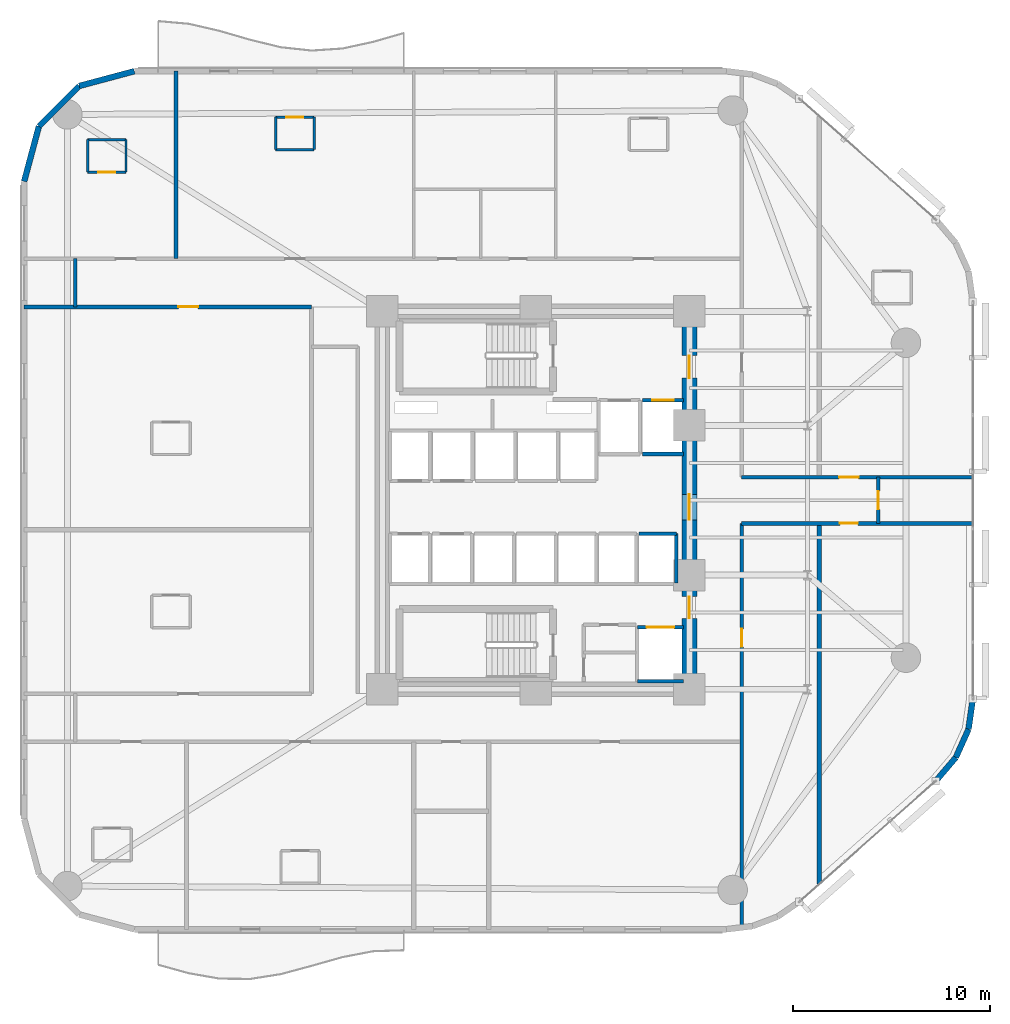
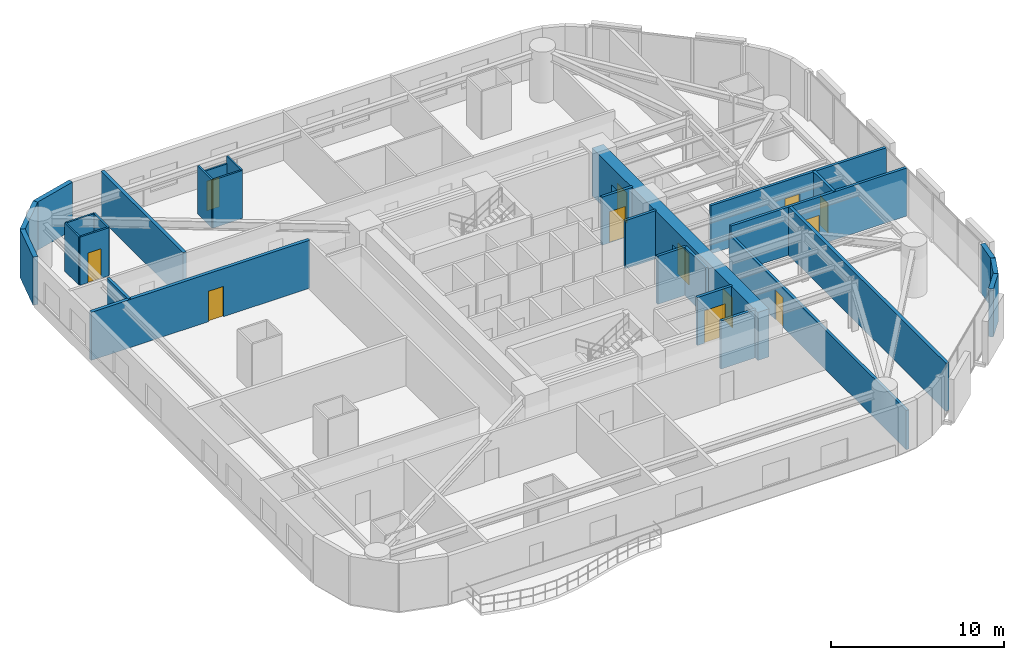
# One storey, part 12 of 17: 29 walls, 12 doors, 12 openings.
"""IFC4 building model written with IfcOpenShell, lengths in metres."""

from ifc_helpers import new_model, si_unit, direction, frame, frame_2d, origin, place, context, subcontext, project, spatial, rectangle, extrude, material, layer, layer_set, type_object, element, fill, save


model = new_model("IFC4")

# Units and contexts
model_context = context("Model", 3, precision=1e-05, world=origin(), true_north=direction((0.0, 1.0)))
body_context = subcontext(model_context, "Body", "Model", "MODEL_VIEW")
ifc_project = project(units=[si_unit("LENGTHUNIT", "METRE"), si_unit("AREAUNIT", "SQUARE_METRE"), si_unit("VOLUMEUNIT", "CUBIC_METRE"), si_unit("PLANEANGLEUNIT", "RADIAN"), si_unit("MASSUNIT", "GRAM", prefix="KILO")], contexts=[model_context])

# Site, building, storey
site_placement = place(None, origin())
site = spatial("IfcSite", under=ifc_project, at=site_placement, CompositionType="ELEMENT")
building_placement = place(site_placement, origin())
building = spatial("IfcBuilding", under=site, at=building_placement, Name="An Khanh Terracotta Commons", CompositionType="ELEMENT")
storey_placement = place(building_placement, frame((0.0, 0.0, 32.39990234375)))
storey = spatial("IfcBuildingStorey", under=building, at=storey_placement, Name="L08", CompositionType="ELEMENT", Elevation=32.39990234375)

# Wall, openings, doors
ifc_material_1 = material(Name="Concrete C70/85", Category="concrete")
ifc_layer_1 = layer(ifc_material_1, 0.75, Name="Concrete C70/85")
ifc_layer_set_1 = layer_set([ifc_layer_1], Name="Concrete C70/85")
wall_type_1 = type_object("IfcWallType", Name="WALL-CORE-750", PredefinedType="SHEAR", material=ifc_layer_set_1)
wall_1_placement = place(storey_placement, frame((37.199951171875, 14.39990234375, 0.0), z_axis=(0.0, 0.0, 1.0), x_axis=(0.0, 1.0, 0.0)))
wall_1 = element("IfcWall", 1, at=wall_1_placement, inside=storey, type_object=wall_type_1, Name="L08 Core Wall CWALL-L08-E", PredefinedType="SHEAR", context=body_context, shape_type="SweptSolid", body=[
    extrude(rectangle(XDim=19.2001953125, YDim=0.75, at=frame_2d((9.60009765625, 0.0))), origin(), (0.0, 0.0, 1.0), 3.400146484375),
])
opening_1_placement = place(wall_1_placement, frame((15.800048828125, 0.0, 0.0)))
opening_1 = element("IfcOpeningElement", 2, at=opening_1_placement, cuts=wall_1, Name="Opening D-FFL", PredefinedType="OPENING", context=body_context, shape_type="SweptSolid", body=[
    extrude(rectangle(XDim=1.14990234375, YDim=2.14990234375, at=frame_2d((0.574951171875, 1.074951171875))), frame((0.0, 0.385009765625, 0.0), z_axis=(0.0, -1.0, 0.0), x_axis=(1.0, 0.0, 0.0)), (0.0, 0.0, 1.0), 0.77001953125),
])
opening_2_placement = place(wall_1_placement, frame((3.60009765625, 0.0, 0.0)))
opening_2 = element("IfcOpeningElement", 3, at=opening_2_placement, cuts=wall_1, Name="Opening D-ST", PredefinedType="OPENING", context=body_context, shape_type="SweptSolid", body=[
    extrude(rectangle(XDim=1.10009765625, YDim=2.14990234375, at=frame_2d((0.550048828125, 1.074951171875))), frame((0.0, 0.385009765625, 0.0), z_axis=(0.0, -1.0, 0.0), x_axis=(1.0, 0.0, 0.0)), (0.0, 0.0, 1.0), 0.77001953125),
])
opening_3_placement = place(wall_1_placement, frame((8.60009765625, 0.0, 0.0)))
opening_3 = element("IfcOpeningElement", 4, at=opening_3_placement, cuts=wall_1, Name="Opening D-COR", PredefinedType="OPENING", context=body_context, shape_type="SweptSolid", body=[
    extrude(rectangle(XDim=1.300048828125, YDim=2.199951171875, at=frame_2d((0.64990234375, 1.10009765625))), frame((0.0, 0.385009765625, 0.0), z_axis=(0.0, -1.0, 0.0), x_axis=(1.0, 0.0, 0.0)), (0.0, 0.0, 1.0), 0.77001953125),
])
ifc_material_2 = material(Name="Fire-Rated Glazed Steel Double Door", Category="steel")
door_type_1 = type_object("IfcDoorType", Name="DOOR-CORR-1300", OperationType="NOTDEFINED", PredefinedType="DOOR", material=ifc_material_2)
door_1_placement = place(opening_3_placement, origin())
door_1 = element("IfcDoor", 5, at=door_1_placement, inside=storey, type_object=door_type_1, Name="L08 Passenger Lift Lobby Double Door", OperationType="DOUBLE_DOOR_SINGLE_SWING", OverallHeight=2.199951171875, OverallWidth=1.300048828125, PredefinedType="DOOR", context=body_context, shape_type="SweptSolid", body=[
    extrude(rectangle(XDim=1.300048828125, YDim=2.199951171875, at=frame_2d((0.64990234375, 1.10009765625))), frame((0.0, 0.02490234375, 0.0), z_axis=(0.0, -1.0, 0.0), x_axis=(1.0, 0.0, 0.0)), (0.0, 0.0, 1.0), 0.050048828125),
])
fill(opening_3, door_1)
ifc_material_3 = material(Name="Fire-Rated Steel Leaf and Vision Panel", Category="steel")
door_type_2 = type_object("IfcDoorType", Name="DOOR-FFL-1150", OperationType="NOTDEFINED", PredefinedType="DOOR", material=ifc_material_3)
door_2_placement = place(opening_1_placement, origin())
door_2 = element("IfcDoor", 6, at=door_2_placement, inside=storey, type_object=door_type_2, Name="L08 Firefighting Lift Lobby Fire Door", OperationType="SINGLE_SWING_LEFT", OverallHeight=2.14990234375, OverallWidth=1.14990234375, PredefinedType="DOOR", context=body_context, shape_type="SweptSolid", body=[
    extrude(rectangle(XDim=1.14990234375, YDim=2.14990234375, at=frame_2d((0.574951171875, 1.074951171875))), frame((0.0, 0.02490234375, 0.0), z_axis=(0.0, -1.0, 0.0), x_axis=(1.0, 0.0, 0.0)), (0.0, 0.0, 1.0), 0.050048828125),
])
fill(opening_1, door_2)
ifc_material_4 = material(Name="Fire-Rated Steel Leaf and Frame", Category="steel")
door_type_3 = type_object("IfcDoorType", Name="DOOR-STAIR-1100", OperationType="NOTDEFINED", PredefinedType="DOOR", material=ifc_material_4)
door_3_placement = place(opening_2_placement, origin())
door_3 = element("IfcDoor", 7, at=door_3_placement, inside=storey, type_object=door_type_3, Name="L08 South Stair Lobby Fire Door", OperationType="SINGLE_SWING_RIGHT", OverallHeight=2.14990234375, OverallWidth=1.10009765625, PredefinedType="DOOR", context=body_context, shape_type="SweptSolid", body=[
    extrude(rectangle(XDim=1.10009765625, YDim=2.14990234375, at=frame_2d((0.550048828125, 1.074951171875))), frame((0.0, 0.02490234375, 0.0), z_axis=(0.0, -1.0, 0.0), x_axis=(1.0, 0.0, 0.0)), (0.0, 0.0, 1.0), 0.050048828125),
])
fill(opening_2, door_3)

# Wall, opening, door
ifc_material_5 = material(Name="Fire-Rated Gypsum Board on Steel Stud", Category="steel")
ifc_layer_2 = layer(ifc_material_5, 0.179931640625, Name="Fire-Rated Gypsum Board on Steel Stud")
ifc_layer_set_2 = layer_set([ifc_layer_2], Name="Fire-Rated Gypsum Board on Steel Stud")
wall_type_2 = type_object("IfcWallType", Name="WALL-CORR-180", PredefinedType="PARTITIONING", material=ifc_layer_set_2)
wall_2_placement = place(storey_placement, frame((34.820068359375, 29.080078125, 0.0), z_axis=(0.0, 0.0, 1.0), x_axis=(1.0, 0.0, 0.0)))
wall_2 = element("IfcWall", 8, at=wall_2_placement, inside=storey, type_object=wall_type_2, Name="L08 Core Wall LSH-L08-FFL-02-N", PredefinedType="PARTITIONING", context=body_context, shape_type="SweptSolid", body=[
    extrude(rectangle(XDim=2.079833984375, YDim=0.179931640625, at=frame_2d((1.0400390625, 0.0))), origin(), (0.0, 0.0, 1.0), 3.400146484375),
])
opening_4_placement = place(wall_2_placement, frame((0.489990234375, 0.0, 0.0)))
opening_4 = element("IfcOpeningElement", 9, at=opening_4_placement, cuts=wall_2, Name="Opening LD-FFL-02-L08", PredefinedType="OPENING", context=body_context, shape_type="SweptSolid", body=[
    extrude(rectangle(XDim=1.10009765625, YDim=2.199951171875, at=frame_2d((0.550048828125, 1.10009765625))), frame((0.0, 0.099853515625, 0.0), z_axis=(0.0, -1.0, 0.0), x_axis=(1.0, 0.0, 0.0)), (0.0, 0.0, 1.0), 0.199951171875),
])
ifc_material_6 = material(Name="Brushed Stainless Steel Fire Landing Door", Category="steel")
door_type_4 = type_object("IfcDoorType", Name="DOOR-LD-FFL-1100", OperationType="NOTDEFINED", PredefinedType="DOOR", material=ifc_material_6)
door_4_placement = place(opening_4_placement, origin())
door_4 = element("IfcDoor", 10, at=door_4_placement, inside=storey, type_object=door_type_4, Name="L08 Lift FFL-02 Sliding Landing Door", OperationType="DOUBLE_DOOR_SLIDING", OverallHeight=2.199951171875, OverallWidth=1.10009765625, PredefinedType="DOOR", context=body_context, shape_type="SweptSolid", body=[
    extrude(rectangle(XDim=1.10009765625, YDim=2.199951171875, at=frame_2d((0.550048828125, 1.10009765625))), frame((0.0, 0.02490234375, 0.0), z_axis=(0.0, -1.0, 0.0), x_axis=(1.0, 0.0, 0.0)), (0.0, 0.0, 1.0), 0.050048828125),
])
fill(opening_4, door_4)

# Wall
wall_3_placement = place(storey_placement, frame((36.89990234375, 26.35009765625, 0.0), z_axis=(0.0, 0.0, 1.0), x_axis=(-1.0, 0.0, 0.0)))
element("IfcWall", 11, at=wall_3_placement, inside=storey, type_object=wall_type_2, Name="L08 Core Wall LSH-L08-FFL-02-S", PredefinedType="PARTITIONING", context=body_context, shape_type="SweptSolid", body=[
    extrude(rectangle(XDim=2.079833984375, YDim=0.179931640625, at=frame_2d((1.0400390625, 0.0))), origin(), (0.0, 0.0, 1.0), 3.400146484375),
])

# Wall, opening, door
wall_4_placement = place(storey_placement, frame((34.550048828125, 17.550048828125, 0.0), z_axis=(0.0, 0.0, 1.0), x_axis=(1.0, 0.0, 0.0)))
wall_4 = element("IfcWall", 12, at=wall_4_placement, inside=storey, type_object=wall_type_2, Name="L08 Core Wall LSH-L08-SVL-01-N", PredefinedType="PARTITIONING", context=body_context, shape_type="SweptSolid", body=[
    extrude(rectangle(XDim=2.349853515625, YDim=0.179931640625, at=frame_2d((1.1748046875, 0.0))), origin(), (0.0, 0.0, 1.0), 3.400146484375),
])
opening_5_placement = place(wall_4_placement, frame((0.47509765625, 0.0, 0.0)))
opening_5 = element("IfcOpeningElement", 13, at=opening_5_placement, cuts=wall_4, Name="Opening LD-SVL-01-L08", PredefinedType="OPENING", context=body_context, shape_type="SweptSolid", body=[
    extrude(rectangle(XDim=1.39990234375, YDim=2.300048828125, at=frame_2d((0.699951171875, 1.14990234375))), frame((0.0, 0.099853515625, 0.0), z_axis=(0.0, -1.0, 0.0), x_axis=(1.0, 0.0, 0.0)), (0.0, 0.0, 1.0), 0.199951171875),
])
ifc_material_7 = material(Name="Heavy-Duty Stainless Steel Goods Landing Door", Category="steel")
door_type_5 = type_object("IfcDoorType", Name="DOOR-LD-SVL-1400", OperationType="NOTDEFINED", PredefinedType="DOOR", material=ifc_material_7)
door_5_placement = place(opening_5_placement, origin())
door_5 = element("IfcDoor", 14, at=door_5_placement, inside=storey, type_object=door_type_5, Name="L08 Lift SVL-01 Sliding Landing Door", OperationType="DOUBLE_DOOR_SLIDING", OverallHeight=2.300048828125, OverallWidth=1.39990234375, PredefinedType="DOOR", context=body_context, shape_type="SweptSolid", body=[
    extrude(rectangle(XDim=1.39990234375, YDim=2.300048828125, at=frame_2d((0.699951171875, 1.14990234375))), frame((0.0, 0.02490234375, 0.0), z_axis=(0.0, -1.0, 0.0), x_axis=(1.0, 0.0, 0.0)), (0.0, 0.0, 1.0), 0.050048828125),
])
fill(opening_5, door_5)

# Walls
wall_5_placement = place(storey_placement, frame((36.89990234375, 14.800048828125, 0.0), z_axis=(0.0, 0.0, 1.0), x_axis=(-1.0, 0.0, 0.0)))
element("IfcWall", 15, at=wall_5_placement, inside=storey, type_object=wall_type_2, Name="L08 Core Wall LSH-L08-SVL-01-S", PredefinedType="PARTITIONING", context=body_context, shape_type="SweptSolid", body=[
    extrude(rectangle(XDim=2.349853515625, YDim=0.179931640625, at=frame_2d((1.1748046875, 0.0))), origin(), (0.0, 0.0, 1.0), 3.400146484375),
])
wall_6_placement = place(storey_placement, frame((34.639892578125, 22.300048828125, 0.0), z_axis=(0.0, 0.0, 1.0), x_axis=(1.0, 0.0, 0.0)))
element("IfcWall", 16, at=wall_6_placement, inside=storey, type_object=wall_type_2, Name="L08 Core Wall LSH-L08-PL-H4-N", PredefinedType="PARTITIONING", context=body_context, shape_type="SweptSolid", body=[
    extrude(rectangle(XDim=1.900146484375, YDim=0.179931640625, at=frame_2d((0.9501953125, 0.0))), origin(), (0.0, 0.0, 1.0), 3.400146484375),
])
wall_7_placement = place(storey_placement, frame((36.5400390625, 19.800048828125, 0.0), z_axis=(0.0, 0.0, 1.0), x_axis=(0.0, 1.0, 0.0)))
element("IfcWall", 17, at=wall_7_placement, inside=storey, type_object=wall_type_2, Name="L08 Core Wall LSH-L08-PL-H4-E", PredefinedType="PARTITIONING", context=body_context, shape_type="SweptSolid", body=[
    extrude(rectangle(XDim=2.5, YDim=0.179931640625, at=frame_2d((1.25, 0.0))), origin(), (0.0, 0.0, 1.0), 3.400146484375),
])

# Wall, opening, door
wall_8_placement = place(storey_placement, frame((39.85009765625, 22.820068359375, 0.0), z_axis=(0.0, 0.0, 1.0), x_axis=(1.0, 0.0, 0.0)))
wall_8 = element("IfcWall", 18, at=wall_8_placement, inside=storey, type_object=wall_type_2, Name="L08 Interior Partition IW-L08-E005", PredefinedType="PARTITIONING", context=body_context, shape_type="SweptSolid", body=[
    extrude(rectangle(XDim=11.75, YDim=0.179931640625, at=frame_2d((5.875, 0.0))), origin(), (0.0, 0.0, 1.0), 3.400146484375),
])
opening_6_placement = place(wall_8_placement, frame((4.989990234375, 0.0, 0.0)))
opening_6 = element("IfcOpeningElement", 19, at=opening_6_placement, cuts=wall_8, Name="Opening D-RM", PredefinedType="OPENING", context=body_context, shape_type="SweptSolid", body=[
    extrude(rectangle(XDim=0.919921875, YDim=2.10009765625, at=frame_2d((0.4599609375, 1.050048828125))), frame((0.0, 0.099853515625, 0.0), z_axis=(0.0, -1.0, 0.0), x_axis=(1.0, 0.0, 0.0)), (0.0, 0.0, 1.0), 0.199951171875),
])
ifc_material_8 = material(Name="Engineered Hardwood Timber Leaf", Category="wood")
door_type_6 = type_object("IfcDoorType", Name="DOOR-INT-920", OperationType="NOTDEFINED", PredefinedType="DOOR", material=ifc_material_8)
door_6_placement = place(opening_6_placement, origin())
door_6 = element("IfcDoor", 20, at=door_6_placement, inside=storey, type_object=door_type_6, Name="L08 ENO2 Riverfront Reading Hall Door", OperationType="SINGLE_SWING_LEFT", OverallHeight=2.10009765625, OverallWidth=0.919921875, PredefinedType="DOOR", context=body_context, shape_type="SweptSolid", body=[
    extrude(rectangle(XDim=0.919921875, YDim=2.10009765625, at=frame_2d((0.4599609375, 1.050048828125))), frame((0.0, 0.02490234375, 0.0), z_axis=(0.0, -1.0, 0.0), x_axis=(1.0, 0.0, 0.0)), (0.0, 0.0, 1.0), 0.050048828125),
])
fill(opening_6, door_6)

wall_9_placement = place(storey_placement, frame((39.85009765625, 25.179931640625, 0.0), z_axis=(0.0, 0.0, 1.0), x_axis=(1.0, 0.0, 0.0)))
wall_9 = element("IfcWall", 21, at=wall_9_placement, inside=storey, type_object=wall_type_2, Name="L08 Interior Partition IW-L08-E006", PredefinedType="PARTITIONING", context=body_context, shape_type="SweptSolid", body=[
    extrude(rectangle(XDim=11.75, YDim=0.179931640625, at=frame_2d((5.875, 0.0))), origin(), (0.0, 0.0, 1.0), 3.400146484375),
])
opening_7_placement = place(wall_9_placement, frame((4.949951171875, 0.0, 0.0)))
opening_7 = element("IfcOpeningElement", 22, at=opening_7_placement, cuts=wall_9, Name="Opening D-UN", PredefinedType="OPENING", context=body_context, shape_type="SweptSolid", body=[
    extrude(rectangle(XDim=1.0, YDim=2.14990234375, at=frame_2d((0.5, 1.074951171875))), frame((0.0, 0.099853515625, 0.0), z_axis=(0.0, -1.0, 0.0), x_axis=(1.0, 0.0, 0.0)), (0.0, 0.0, 1.0), 0.199951171875),
])
ifc_material_9 = material(Name="Solid-Core Hardwood Acoustic Fire Door", Category="wood")
door_type_7 = type_object("IfcDoorType", Name="DOOR-UNIT-1000", OperationType="NOTDEFINED", PredefinedType="DOOR", material=ifc_material_9)
door_7_placement = place(opening_7_placement, origin())
door_7 = element("IfcDoor", 23, at=door_7_placement, inside=storey, type_object=door_type_7, Name="L08 ENO1 Kitchenette and Studio Apartment Door", OperationType="SINGLE_SWING_RIGHT", OverallHeight=2.14990234375, OverallWidth=1.0, PredefinedType="DOOR", context=body_context, shape_type="SweptSolid", body=[
    extrude(rectangle(XDim=1.0, YDim=2.14990234375, at=frame_2d((0.5, 1.074951171875))), frame((0.0, 0.02490234375, 0.0), z_axis=(0.0, -1.0, 0.0), x_axis=(1.0, 0.0, 0.0)), (0.0, 0.0, 1.0), 0.050048828125),
])
fill(opening_7, door_7)

# Wall
wall_10_placement = place(storey_placement, frame((6.0, 33.820068359375, 0.0), z_axis=(0.0, 0.0, 1.0), x_axis=(0.0, 1.0, 0.0)))
element("IfcWall", 24, at=wall_10_placement, inside=storey, type_object=wall_type_2, Name="L08 Interior Partition IW-L08-E012", PredefinedType="PARTITIONING", context=body_context, shape_type="SweptSolid", body=[
    extrude(rectangle(XDim=2.4599609375, YDim=0.179931640625, at=frame_2d((1.22998046875, 0.0))), origin(), (0.0, 0.0, 1.0), 3.400146484375),
])

# Wall, opening, door
wall_11_placement = place(storey_placement, frame((39.85009765625, 2.29296875, 0.0), z_axis=(0.0, 0.0, 1.0), x_axis=(0.0, 1.0, 0.0)))
wall_11 = element("IfcWall", 25, at=wall_11_placement, inside=storey, type_object=wall_type_2, Name="L08 Interior Partition IW-L08-E022", PredefinedType="PARTITIONING", context=body_context, shape_type="SweptSolid", body=[
    extrude(rectangle(XDim=20.527099609375, YDim=0.179931640625, at=frame_2d((10.263671875, 0.0))), origin(), (0.0, 0.0, 1.0), 2.781982421875),
])
opening_8_placement = place(wall_11_placement, frame((14.257080078125, 0.0, 0.0)))
opening_8 = element("IfcOpeningElement", 26, at=opening_8_placement, cuts=wall_11, Name="Opening D-RM", PredefinedType="OPENING", context=body_context, shape_type="SweptSolid", body=[
    extrude(rectangle(XDim=0.919921875, YDim=2.10009765625, at=frame_2d((0.4599609375, 1.050048828125))), frame((0.0, 0.099853515625, 0.0), z_axis=(0.0, -1.0, 0.0), x_axis=(1.0, 0.0, 0.0)), (0.0, 0.0, 1.0), 0.199951171875),
])
door_8_placement = place(opening_8_placement, origin())
door_8 = element("IfcDoor", 27, at=door_8_placement, inside=storey, type_object=door_type_6, Name="L08 SB1 Quiet Focus Office Door", OperationType="SINGLE_SWING_LEFT", OverallHeight=2.10009765625, OverallWidth=0.919921875, PredefinedType="DOOR", context=body_context, shape_type="SweptSolid", body=[
    extrude(rectangle(XDim=0.919921875, YDim=2.10009765625, at=frame_2d((0.4599609375, 1.050048828125))), frame((0.0, 0.02490234375, 0.0), z_axis=(0.0, -1.0, 0.0), x_axis=(1.0, 0.0, 0.0)), (0.0, 0.0, 1.0), 0.050048828125),
])
fill(opening_8, door_8)

wall_12_placement = place(storey_placement, frame((46.800048828125, 22.820068359375, 0.0), z_axis=(0.0, 0.0, 1.0), x_axis=(0.0, 1.0, 0.0)))
wall_12 = element("IfcWall", 28, at=wall_12_placement, inside=storey, type_object=wall_type_2, Name="L08 Interior Partition IW-L08-E026", PredefinedType="PARTITIONING", context=body_context, shape_type="SweptSolid", body=[
    extrude(rectangle(XDim=2.35986328125, YDim=0.179931640625, at=frame_2d((1.179931640625, 0.0))), origin(), (0.0, 0.0, 1.0), 3.400146484375),
])
opening_9_placement = place(wall_12_placement, frame((0.719970703125, 0.0, 0.0)))
opening_9 = element("IfcOpeningElement", 29, at=opening_9_placement, cuts=wall_12, Name="Opening D-RM", PredefinedType="OPENING", context=body_context, shape_type="SweptSolid", body=[
    extrude(rectangle(XDim=0.919921875, YDim=2.10009765625, at=frame_2d((0.4599609375, 1.050048828125))), frame((0.0, 0.099853515625, 0.0), z_axis=(0.0, -1.0, 0.0), x_axis=(1.0, 0.0, 0.0)), (0.0, 0.0, 1.0), 0.199951171875),
])
door_9_placement = place(opening_9_placement, origin())
door_9 = element("IfcDoor", 30, at=door_9_placement, inside=storey, type_object=door_type_6, Name="L08 ENO3 Quiet Focus Office Door", OperationType="SINGLE_SWING_RIGHT", OverallHeight=2.10009765625, OverallWidth=0.919921875, PredefinedType="DOOR", context=body_context, shape_type="SweptSolid", body=[
    extrude(rectangle(XDim=0.919921875, YDim=2.10009765625, at=frame_2d((0.4599609375, 1.050048828125))), frame((0.0, 0.02490234375, 0.0), z_axis=(0.0, -1.0, 0.0), x_axis=(1.0, 0.0, 0.0)), (0.0, 0.0, 1.0), 0.050048828125),
])
fill(opening_9, door_9)

# Walls
ifc_material_10 = material(Name="Precast concrete C40/50", Category="concrete")
ifc_layer_3 = layer(ifc_material_10, 0.300048828125, Name="Precast concrete C40/50")
ifc_layer_set_3 = layer_set([ifc_layer_3], Name="Precast concrete C40/50")
wall_type_3 = type_object("IfcWallType", Name="WALL-EXT-300", PredefinedType="SOLIDWALL", material=ifc_layer_set_3)
wall_13_placement = place(storey_placement, frame((49.7099609375, 9.72802734375, 0.0), z_axis=(0.0, 0.0, 1.0), x_axis=(0.648389989909, 0.7613083613, 0.0)))
element("IfcWall", 31, at=wall_13_placement, inside=storey, type_object=wall_type_3, Name="L08 Insulated Terracotta Exterior Wall 9", PredefinedType="SOLIDWALL", context=body_context, shape_type="SweptSolid", body=[
    extrude(rectangle(XDim=1.576171875, YDim=0.300048828125, at=frame_2d((0.7880859375, 0.0))), origin(), (0.0, 0.0, 1.0), 3.400146484375),
])
wall_14_placement = place(storey_placement, frame((50.73193359375, 10.927978515625, 0.0), z_axis=(0.0, 0.0, 1.0), x_axis=(0.410996558744, 0.911636895206, 0.0)))
element("IfcWall", 32, at=wall_14_placement, inside=storey, type_object=wall_type_3, Name="L08 Insulated Terracotta Exterior Wall 10", PredefinedType="SOLIDWALL", context=body_context, shape_type="SweptSolid", body=[
    extrude(rectangle(XDim=1.57421875, YDim=0.300048828125, at=frame_2d((0.787109375, 0.0))), origin(), (0.0, 0.0, 1.0), 3.400146484375),
])
wall_15_placement = place(storey_placement, frame((51.37890625, 12.363037109375, 0.0), z_axis=(0.0, 0.0, 1.0), x_axis=(0.140380048512, 0.990097693149, 0.0)))
element("IfcWall", 33, at=wall_15_placement, inside=storey, type_object=wall_type_3, Name="L08 Insulated Terracotta Exterior Wall 11", PredefinedType="SOLIDWALL", context=body_context, shape_type="SweptSolid", body=[
    extrude(rectangle(XDim=1.57568359375, YDim=0.300048828125, at=frame_2d((0.787841796875, 0.0))), origin(), (0.0, 0.0, 1.0), 3.400146484375),
])
wall_16_placement = place(storey_placement, frame((9.0, 45.800048828125, 0.0), z_axis=(0.0, 0.0, 1.0), x_axis=(-0.96594917914, -0.258731875344, 0.0)))
element("IfcWall", 34, at=wall_16_placement, inside=storey, type_object=wall_type_3, Name="L08 Insulated Terracotta Exterior Wall 21", PredefinedType="SOLIDWALL", context=body_context, shape_type="SweptSolid", body=[
    extrude(rectangle(XDim=2.898681640625, YDim=0.300048828125, at=frame_2d((1.44921875, 0.0))), origin(), (0.0, 0.0, 1.0), 3.400146484375),
])
wall_17_placement = place(storey_placement, frame((6.199951171875, 45.050048828125, 0.0), z_axis=(0.0, 0.0, 1.0), x_axis=(-0.707106781187, -0.707106781187, 0.0)))
element("IfcWall", 35, at=wall_17_placement, inside=storey, type_object=wall_type_3, Name="L08 Insulated Terracotta Exterior Wall 22", PredefinedType="SOLIDWALL", context=body_context, shape_type="SweptSolid", body=[
    extrude(rectangle(XDim=2.899169921875, YDim=0.300048828125, at=frame_2d((1.44970703125, 0.0))), origin(), (0.0, 0.0, 1.0), 3.400146484375),
])
wall_18_placement = place(storey_placement, frame((4.14990234375, 43.0, 0.0), z_axis=(0.0, 0.0, 1.0), x_axis=(-0.258731875344, -0.96594917914, 0.0)))
element("IfcWall", 36, at=wall_18_placement, inside=storey, type_object=wall_type_3, Name="L08 Insulated Terracotta Exterior Wall 23", PredefinedType="SOLIDWALL", context=body_context, shape_type="SweptSolid", body=[
    extrude(rectangle(XDim=2.898681640625, YDim=0.300048828125, at=frame_2d((1.44921875, 0.0))), origin(), (0.0, 0.0, 1.0), 3.400146484375),
])

# Wall, opening, door
ifc_material_11 = material(Name="Acoustic Double-Stud Gypsum and Mineral Wool")
ifc_layer_4 = layer(ifc_material_11, 0.219970703125, Name="Acoustic Double-Stud Gypsum and Mineral Wool")
ifc_layer_set_4 = layer_set([ifc_layer_4], Name="Acoustic Double-Stud Gypsum and Mineral Wool")
wall_type_4 = type_object("IfcWallType", Name="WALL-PARTY-220", PredefinedType="PARTITIONING", material=ifc_layer_set_4)
wall_19_placement = place(storey_placement, frame((3.39990234375, 33.820068359375, 0.0), z_axis=(0.0, 0.0, 1.0), x_axis=(1.0, 0.0, 0.0)))
wall_19 = element("IfcWall", 37, at=wall_19_placement, inside=storey, type_object=wall_type_4, Name="L08 Interior Partition IW-L08-E008", PredefinedType="PARTITIONING", context=body_context, shape_type="SweptSolid", body=[
    extrude(rectangle(XDim=14.60009765625, YDim=0.219970703125, at=frame_2d((7.300048828125, 0.0))), origin(), (0.0, 0.0, 1.0), 3.400146484375),
])
opening_10_placement = place(wall_19_placement, frame((7.840087890625, 0.0, 0.0)))
opening_10 = element("IfcOpeningElement", 38, at=opening_10_placement, cuts=wall_19, Name="Opening D-UN", PredefinedType="OPENING", context=body_context, shape_type="SweptSolid", body=[
    extrude(rectangle(XDim=1.0, YDim=2.14990234375, at=frame_2d((0.5, 1.074951171875))), frame((0.0, 0.119873046875, 0.0), z_axis=(0.0, -1.0, 0.0), x_axis=(1.0, 0.0, 0.0)), (0.0, 0.0, 1.0), 0.239990234375),
])
door_10_placement = place(opening_10_placement, origin())
door_10 = element("IfcDoor", 39, at=door_10_placement, inside=storey, type_object=door_type_7, Name="L08 WW2 Kitchenette and Studio Apartment Door", OperationType="SINGLE_SWING_RIGHT", OverallHeight=2.14990234375, OverallWidth=1.0, PredefinedType="DOOR", context=body_context, shape_type="SweptSolid", body=[
    extrude(rectangle(XDim=1.0, YDim=2.14990234375, at=frame_2d((0.5, 1.074951171875))), frame((0.0, 0.02490234375, 0.0), z_axis=(0.0, -1.0, 0.0), x_axis=(1.0, 0.0, 0.0)), (0.0, 0.0, 1.0), 0.050048828125),
])
fill(opening_10, door_10)

# Walls
wall_20_placement = place(storey_placement, frame((11.116943359375, 36.280029296875, 0.0), z_axis=(0.0, 0.0, 1.0), x_axis=(0.0, 1.0, 0.0)))
element("IfcWall", 40, at=wall_20_placement, inside=storey, type_object=wall_type_4, Name="L08 Interior Partition IW-L08-E013", PredefinedType="PARTITIONING", context=body_context, shape_type="SweptSolid", body=[
    extrude(rectangle(XDim=9.52001953125, YDim=0.219970703125, at=frame_2d((4.760009765625, 0.0))), origin(), (0.0, 0.0, 1.0), 3.400146484375),
])
wall_21_placement = place(storey_placement, frame((43.800048828125, 4.5, 0.0), z_axis=(0.0, 0.0, 1.0), x_axis=(0.0, 1.0, 0.0)))
element("IfcWall", 41, at=wall_21_placement, inside=storey, type_object=wall_type_4, Name="L08 Interior Partition IW-L08-E024", PredefinedType="PARTITIONING", context=body_context, shape_type="SweptSolid", body=[
    extrude(rectangle(XDim=18.320068359375, YDim=0.219970703125, at=frame_2d((9.16015625, 0.0))), origin(), (0.0, 0.0, 1.0), 3.400146484375),
])
ifc_material_12 = material(Name="Moisture-Resistant Cement Board Partition")
ifc_layer_5 = layer(ifc_material_12, 0.1201171875, Name="Moisture-Resistant Cement Board Partition")
ifc_layer_set_5 = layer_set([ifc_layer_5], Name="Moisture-Resistant Cement Board Partition")
wall_type_5 = type_object("IfcWallType", Name="WALL-WET-120", PredefinedType="PARTITIONING", material=ifc_layer_set_5)
wall_22_placement = place(storey_placement, frame((6.623046875, 42.321044921875, 0.0), z_axis=(0.0, 0.0, 1.0), x_axis=(1.0, 0.0, 0.0)))
element("IfcWall", 42, at=wall_22_placement, inside=storey, type_object=wall_type_5, Name="L08 Interior Partition IW-L08-NW1-BN", PredefinedType="PARTITIONING", context=body_context, shape_type="SweptSolid", body=[
    extrude(rectangle(XDim=1.949951171875, YDim=0.1201171875, at=frame_2d((0.97509765625, 0.0))), origin(), (0.0, 0.0, 1.0), 3.400146484375),
])

# Wall, opening, door
wall_23_placement = place(storey_placement, frame((8.572998046875, 40.6708984375, 0.0), z_axis=(0.0, 0.0, 1.0), x_axis=(-1.0, 0.0, 0.0)))
wall_23 = element("IfcWall", 43, at=wall_23_placement, inside=storey, type_object=wall_type_5, Name="L08 Interior Partition IW-L08-NW1-BS", PredefinedType="PARTITIONING", context=body_context, shape_type="SweptSolid", body=[
    extrude(rectangle(XDim=1.949951171875, YDim=0.1201171875, at=frame_2d((0.97509765625, 0.0))), origin(), (0.0, 0.0, 1.0), 3.400146484375),
])
opening_11_placement = place(wall_23_placement, frame((0.544921875, 0.0, 0.0)))
opening_11 = element("IfcOpeningElement", 44, at=opening_11_placement, cuts=wall_23, Name="Opening D-ENS", PredefinedType="OPENING", context=body_context, shape_type="SweptSolid", body=[
    extrude(rectangle(XDim=0.860107421875, YDim=2.10009765625, at=frame_2d((0.43017578125, 1.050048828125))), frame((0.0, 0.070068359375, 0.0), z_axis=(0.0, -1.0, 0.0), x_axis=(1.0, 0.0, 0.0)), (0.0, 0.0, 1.0), 0.14013671875),
])
ifc_material_13 = material(Name="Moisture-Resistant Hardwood Timber Leaf", Category="wood")
door_type_8 = type_object("IfcDoorType", Name="DOOR-BATH-860", OperationType="NOTDEFINED", PredefinedType="DOOR", material=ifc_material_13)
door_11_placement = place(opening_11_placement, origin())
door_11 = element("IfcDoor", 45, at=door_11_placement, inside=storey, type_object=door_type_8, Name="L08 Studio NW1 En-suite Door", OperationType="SINGLE_SWING_RIGHT", OverallHeight=2.10009765625, OverallWidth=0.860107421875, PredefinedType="DOOR", context=body_context, shape_type="SweptSolid", body=[
    extrude(rectangle(XDim=0.860107421875, YDim=2.10009765625, at=frame_2d((0.43017578125, 1.050048828125))), frame((0.0, 0.02490234375, 0.0), z_axis=(0.0, -1.0, 0.0), x_axis=(1.0, 0.0, 0.0)), (0.0, 0.0, 1.0), 0.050048828125),
])
fill(opening_11, door_11)

# Walls
for number, where, z_axis, x_axis, name in (
    (46, (6.623046875, 42.321044921875, 0.0), (0.0, 0.0, 1.0), (0.0, -1.0, 0.0), "L08 Interior Partition IW-L08-NW1-BW"),
    (47, (8.572998046875, 40.6708984375, 0.0), (0.0, 0.0, 1.0), (0.0, 1.0, 0.0), "L08 Interior Partition IW-L08-NW1-BE"),
):
    element("IfcWall", number, at=place(storey_placement, frame(where, z_axis=z_axis, x_axis=x_axis)), inside=storey, type_object=wall_type_5, Name=name, PredefinedType="PARTITIONING", context=body_context, shape_type="SweptSolid", body=[
        extrude(rectangle(XDim=1.650146484375, YDim=0.1201171875, at=frame_2d((0.8251953125, 0.0))), origin(), (0.0, 0.0, 1.0), 3.400146484375),
    ])

# Wall, opening, door
wall_24_placement = place(storey_placement, frame((16.18310546875, 43.465087890625, 0.0), z_axis=(0.0, 0.0, 1.0), x_axis=(1.0, 0.0, 0.0)))
wall_24 = element("IfcWall", 48, at=wall_24_placement, inside=storey, type_object=wall_type_5, Name="L08 Interior Partition IW-L08-NW2-BN", PredefinedType="PARTITIONING", context=body_context, shape_type="SweptSolid", body=[
    extrude(rectangle(XDim=1.949951171875, YDim=0.1201171875, at=frame_2d((0.97509765625, 0.0))), origin(), (0.0, 0.0, 1.0), 2.882080078125),
])
opening_12_placement = place(wall_24_placement, frame((0.544921875, 0.0, 0.0)))
opening_12 = element("IfcOpeningElement", 49, at=opening_12_placement, cuts=wall_24, Name="Opening D-ENS", PredefinedType="OPENING", context=body_context, shape_type="SweptSolid", body=[
    extrude(rectangle(XDim=0.860107421875, YDim=2.10009765625, at=frame_2d((0.43017578125, 1.050048828125))), frame((0.0, 0.070068359375, 0.0), z_axis=(0.0, -1.0, 0.0), x_axis=(1.0, 0.0, 0.0)), (0.0, 0.0, 1.0), 0.14013671875),
])
door_12_placement = place(opening_12_placement, origin())
door_12 = element("IfcDoor", 50, at=door_12_placement, inside=storey, type_object=door_type_8, Name="L08 Studio NW2 En-suite Door", OperationType="SINGLE_SWING_LEFT", OverallHeight=2.10009765625, OverallWidth=0.860107421875, PredefinedType="DOOR", context=body_context, shape_type="SweptSolid", body=[
    extrude(rectangle(XDim=0.860107421875, YDim=2.10009765625, at=frame_2d((0.43017578125, 1.050048828125))), frame((0.0, 0.02490234375, 0.0), z_axis=(0.0, -1.0, 0.0), x_axis=(1.0, 0.0, 0.0)), (0.0, 0.0, 1.0), 0.050048828125),
])
fill(opening_12, door_12)

# Walls
wall_25_placement = place(storey_placement, frame((18.133056640625, 41.81494140625, 0.0), z_axis=(0.0, 0.0, 1.0), x_axis=(-1.0, 0.0, 0.0)))
element("IfcWall", 51, at=wall_25_placement, inside=storey, type_object=wall_type_5, Name="L08 Interior Partition IW-L08-NW2-BS", PredefinedType="PARTITIONING", context=body_context, shape_type="SweptSolid", body=[
    extrude(rectangle(XDim=1.949951171875, YDim=0.1201171875, at=frame_2d((0.97509765625, 0.0))), origin(), (0.0, 0.0, 1.0), 3.400146484375),
])
for number, where, z_axis, x_axis, name in (
    (52, (16.18310546875, 43.465087890625, 0.0), (0.0, 0.0, 1.0), (0.0, -1.0, 0.0), "L08 Interior Partition IW-L08-NW2-BW"),
    (53, (18.133056640625, 41.81494140625, 0.0), (0.0, 0.0, 1.0), (0.0, 1.0, 0.0), "L08 Interior Partition IW-L08-NW2-BE"),
):
    element("IfcWall", number, at=place(storey_placement, frame(where, z_axis=z_axis, x_axis=x_axis)), inside=storey, type_object=wall_type_5, Name=name, PredefinedType="PARTITIONING", context=body_context, shape_type="SweptSolid", body=[
        extrude(rectangle(XDim=1.650146484375, YDim=0.1201171875, at=frame_2d((0.8251953125, 0.0))), origin(), (0.0, 0.0, 1.0), 3.400146484375),
    ])

save(model, "model.ifc")
